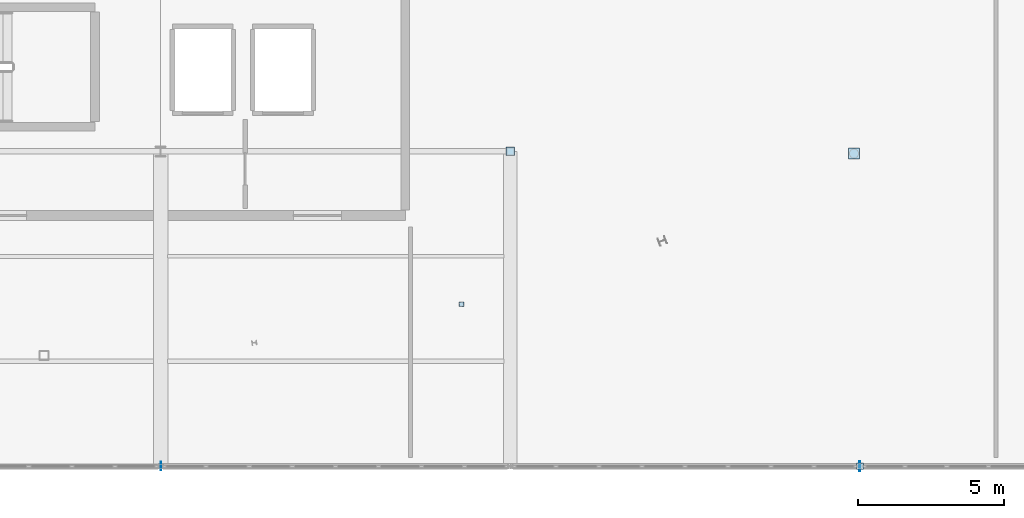
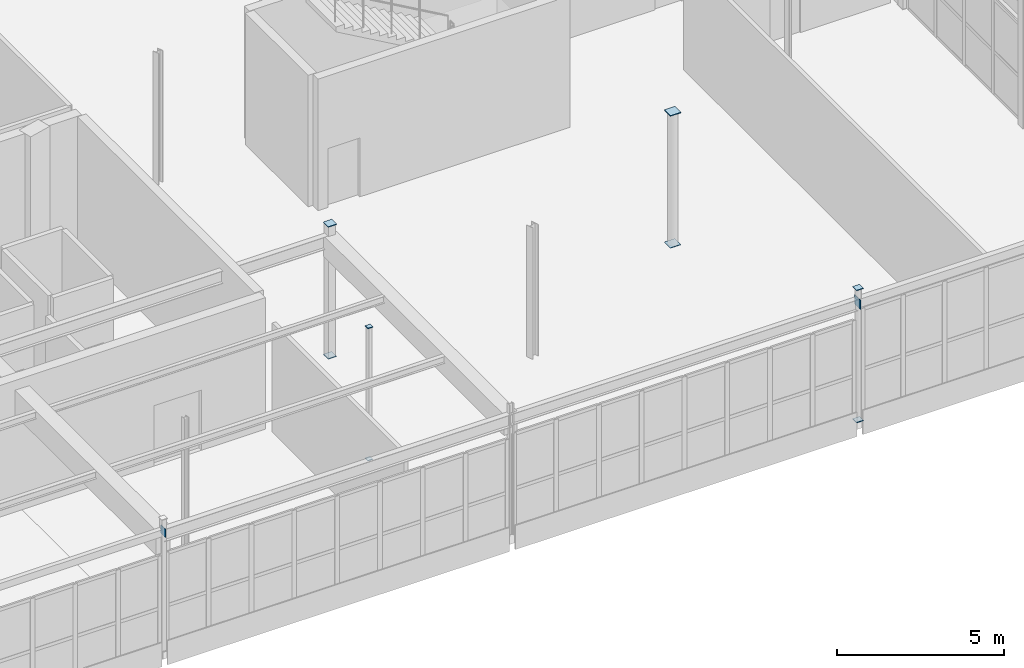
# One storey, part 163 of 226: 10 plates.
"""IFC4 building model written with IfcOpenShell, lengths in metres."""

from ifc_helpers import new_model, si_unit, direction, frame, origin, origin_2d, place, context, subcontext, project, spatial, rectangle, extrude, material, layer, layer_set, type_object, element, save


model = new_model("IFC4")

# Units and contexts
model_context = context("Model", 3, precision=1e-05, world=origin(), true_north=direction((0.0, 1.0)))
body_context = subcontext(model_context, "Body", "Model", "MODEL_VIEW")
ifc_project = project(units=[si_unit("LENGTHUNIT", "METRE"), si_unit("AREAUNIT", "SQUARE_METRE"), si_unit("VOLUMEUNIT", "CUBIC_METRE"), si_unit("PLANEANGLEUNIT", "RADIAN"), si_unit("MASSUNIT", "GRAM", prefix="KILO")], contexts=[model_context])

# Site, building, storey
site_placement = place(None, origin())
site = spatial("IfcSite", under=ifc_project, at=site_placement, CompositionType="ELEMENT")
building_placement = place(site_placement, origin())
building = spatial("IfcBuilding", under=site, at=building_placement, Name="Tarnwether General Hospital", CompositionType="ELEMENT")
storey_placement = place(building_placement, frame((0.0, 0.0, 4.800048828125)))
storey = spatial("IfcBuildingStorey", under=building, at=storey_placement, Name="L01", CompositionType="ELEMENT", Elevation=4.800048828125)

# Plates
ifc_material = material(Name="Steel Grade 350 (350 MPa)", Category="steel")
ifc_layer = layer(ifc_material, 0.02490234375)
ifc_layer_set = layer_set([ifc_layer], Name="Steel Grade 350 (350 MPa)")
plate_type = type_object("IfcPlateType", Name="PT-GUS2", PredefinedType="USERDEFINED", material=ifc_layer_set)
for number, where, z_axis, x_axis, name in (
    (1, (108.0, 10.800048828125, -0.02490234375), (0.0, 0.0, 1.0), (1.0, 0.0, 0.0), "Hollow Section Welded End Cap Plate 0193"),
    (2, (108.0, 10.800048828125, 4.800048828125), (0.0, 0.0, 1.0), (1.0, 0.0, 0.0), "Hollow Section Welded End Cap Plate 0194"),
):
    element("IfcPlate", number, at=place(storey_placement, frame(where, z_axis=z_axis, x_axis=x_axis)), inside=storey, type_object=plate_type, Name=name, ObjectType="GUSSET", PredefinedType="USERDEFINED", context=body_context, shape_type="SweptSolid", body=[
        extrude(rectangle(XDim=0.2900390625, YDim=0.2900390625, at=origin_2d()), origin(), (0.0, 0.0, 1.0), 0.02490234375),
    ])
for number, where, z_axis, x_axis, name in (
    (3, (120.0, 0.0, -0.02490234375), (0.0, 0.0, 1.0), (1.0, 0.0, 0.0), "Hollow Section Welded End Cap Plate 0213"),
    (4, (120.0, 0.0, 4.800048828125), (0.0, 0.0, 1.0), (1.0, 0.0, 0.0), "Hollow Section Welded End Cap Plate 0214"),
):
    element("IfcPlate", number, at=place(storey_placement, frame(where, z_axis=z_axis, x_axis=x_axis)), inside=storey, type_object=plate_type, Name=name, ObjectType="GUSSET", PredefinedType="USERDEFINED", context=body_context, shape_type="SweptSolid", body=[
        extrude(rectangle(XDim=0.23388671875, YDim=0.23388671875, at=origin_2d()), origin(), (0.0, 0.0, 1.0), 0.02490234375),
    ])
for number, where, z_axis, x_axis, name in (
    (5, (106.322021484375, 5.55810546875, -0.02490234375), (0.0, 0.0, 1.0), (1.0, 0.0, 0.0), "Hollow Section Welded End Cap Plate 0707"),
    (6, (106.322021484375, 5.55810546875, 4.800048828125), (0.0, 0.0, 1.0), (1.0, 0.0, 0.0), "Hollow Section Welded End Cap Plate 0708"),
):
    element("IfcPlate", number, at=place(storey_placement, frame(where, z_axis=z_axis, x_axis=x_axis)), inside=storey, type_object=plate_type, Name=name, ObjectType="GUSSET", PredefinedType="USERDEFINED", context=body_context, shape_type="SweptSolid", body=[
        extrude(rectangle(XDim=0.1650390625, YDim=0.1650390625, at=origin_2d()), origin(), (0.0, 0.0, 1.0), 0.02490234375),
    ])
for number, where, z_axis, x_axis, name in (
    (7, (119.79296875, 10.72998046875, -0.02490234375), (0.0, 0.0, 1.0), (1.0, 0.0, 0.0), "Hollow Section Welded End Cap Plate 0729"),
    (8, (119.79296875, 10.72998046875, 4.800048828125), (0.0, 0.0, 1.0), (1.0, 0.0, 0.0), "Hollow Section Welded End Cap Plate 0730"),
):
    element("IfcPlate", number, at=place(storey_placement, frame(where, z_axis=z_axis, x_axis=x_axis)), inside=storey, type_object=plate_type, Name=name, ObjectType="GUSSET", PredefinedType="USERDEFINED", context=body_context, shape_type="SweptSolid", body=[
        extrude(rectangle(XDim=0.364013671875, YDim=0.364013671875, at=origin_2d()), origin(), (0.0, 0.0, 1.0), 0.02490234375),
    ])
plate_1_placement = place(storey_placement, frame((96.012451171875, 0.0, 4.175048828125), z_axis=(0.0, 0.0, 1.0), x_axis=(1.0, 0.0, 0.0)))
element("IfcPlate", 9, at=plate_1_placement, inside=storey, type_object=plate_type, Name="Hollow Section Welded End Cap Plate 0922", ObjectType="GUSSET", PredefinedType="USERDEFINED", context=body_context, shape_type="SweptSolid", body=[
    extrude(rectangle(XDim=0.02490234375, YDim=0.2900390625, at=origin_2d()), origin(), (0.0, 0.0, 1.0), 0.2900390625),
])
plate_2_placement = place(storey_placement, frame((119.987548828125, 0.0, 4.125), z_axis=(0.0, 0.0, 1.0), x_axis=(1.0, 0.0, 0.0)))
element("IfcPlate", 10, at=plate_2_placement, inside=storey, type_object=plate_type, Name="Hollow Section Welded End Cap Plate 0927", ObjectType="GUSSET", PredefinedType="USERDEFINED", context=body_context, shape_type="SweptSolid", body=[
    extrude(rectangle(XDim=0.02490234375, YDim=0.340087890625, at=origin_2d()), origin(), (0.0, 0.0, 1.0), 0.340087890625),
])

save(model, "model.ifc")
